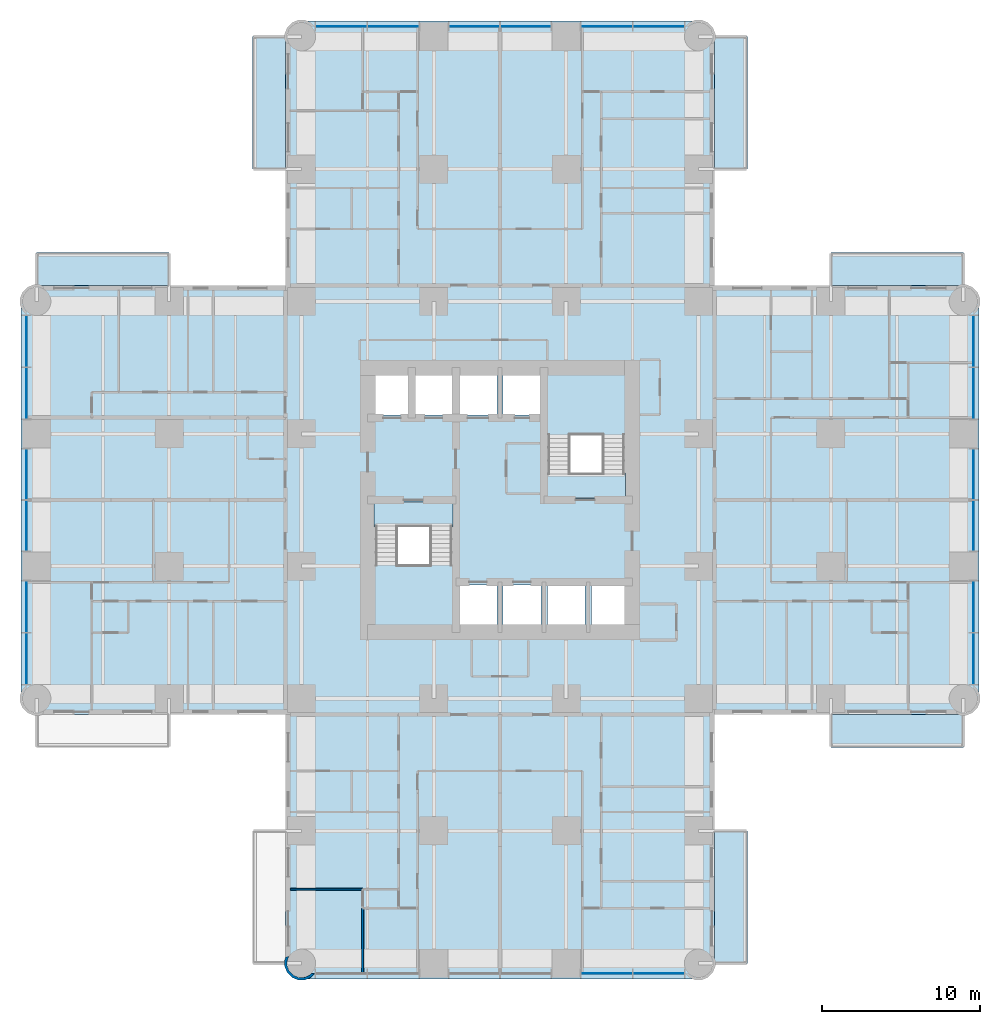
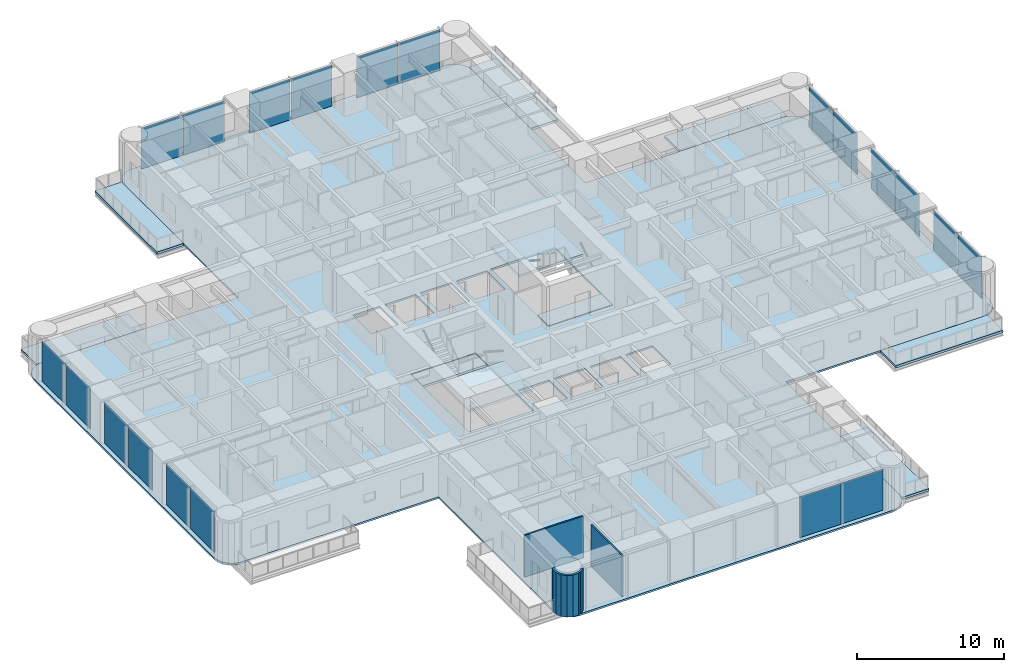
# One storey, part 6 of 17: 20 plates, 11 slabs, 3 walls, 6 elements without a shape of their own.
"""IFC4 building model written with IfcOpenShell, lengths in metres."""

from ifc_helpers import new_model, si_unit, direction, frame, frame_2d, origin, origin_2d, place, context, subcontext, project, spatial, polyline, rectangle, outline, extrude, material, layer, layer_set, type_object, element, aggregate, save


model = new_model("IFC4")

# Units and contexts
model_context = context("Model", 3, precision=1e-05, world=origin(), true_north=direction((0.0, 1.0)))
body_context = subcontext(model_context, "Body", "Model", "MODEL_VIEW")
ifc_project = project(units=[si_unit("LENGTHUNIT", "METRE"), si_unit("AREAUNIT", "SQUARE_METRE"), si_unit("VOLUMEUNIT", "CUBIC_METRE"), si_unit("PLANEANGLEUNIT", "RADIAN"), si_unit("MASSUNIT", "GRAM", prefix="KILO")], contexts=[model_context])

# Site, building, storey
site_placement = place(None, origin())
site = spatial("IfcSite", under=ifc_project, at=site_placement, CompositionType="ELEMENT")
building_placement = place(site_placement, origin())
building = spatial("IfcBuilding", under=site, at=building_placement, Name="Torre Alcanfor", CompositionType="ELEMENT")
storey_placement = place(building_placement, frame((0.0, 0.0, 41.699951171875)))
storey = spatial("IfcBuildingStorey", under=building, at=storey_placement, Name="L09", CompositionType="ELEMENT", Elevation=41.699951171875)

# Slabs
ifc_material_1 = material(Name="Concrete f'c 35 MPa", Category="concrete")
ifc_layer_1 = layer(ifc_material_1, 0.199951171875)
ifc_layer_set_1 = layer_set([ifc_layer_1], Name="Balcony slab 200")
slab_type_1 = type_object("IfcSlabType", Name="Balcony slab 200", PredefinedType="FLOOR", material=ifc_layer_set_1)
slab_1_placement = place(storey_placement, frame((0.0, 0.0, -0.199951171875)))
element("IfcSlab", 1, at=slab_1_placement, inside=storey, type_object=slab_type_1, Name="Balcony L09-N1", PredefinedType="FLOOR", context=body_context, shape_type="SweptSolid", body=[
    extrude(outline(polyline([(15.800048828125, 50.39990234375), (15.800048828125, 58.800048828125), (13.699951171875, 58.800048828125), (13.699951171875, 50.39990234375), (15.800048828125, 50.39990234375)])), origin(), (0.0, 0.0, 1.0), 0.199951171875),
])
slab_2_placement = place(storey_placement, frame((0.0, 0.0, -0.199951171875)))
element("IfcSlab", 2, at=slab_2_placement, inside=storey, type_object=slab_type_1, Name="Balcony L09-N2", PredefinedType="FLOOR", context=body_context, shape_type="SweptSolid", body=[
    extrude(outline(polyline([(45.10009765625, 50.39990234375), (45.10009765625, 58.800048828125), (43.0, 58.800048828125), (43.0, 50.39990234375), (45.10009765625, 50.39990234375)])), origin(), (0.0, 0.0, 1.0), 0.199951171875),
])
slab_3_placement = place(storey_placement, frame((0.0, 0.0, -0.199951171875)))
element("IfcSlab", 3, at=slab_3_placement, inside=storey, type_object=slab_type_1, Name="Balcony L09-E1", PredefinedType="FLOOR", context=body_context, shape_type="SweptSolid", body=[
    extrude(outline(polyline([(50.39990234375, 43.0), (58.800048828125, 43.0), (58.800048828125, 45.10009765625), (50.39990234375, 45.10009765625), (50.39990234375, 43.0)])), origin(), (0.0, 0.0, 1.0), 0.199951171875),
])
slab_4_placement = place(storey_placement, frame((0.0, 0.0, -0.199951171875)))
element("IfcSlab", 4, at=slab_4_placement, inside=storey, type_object=slab_type_1, Name="Balcony L09-E2", PredefinedType="FLOOR", context=body_context, shape_type="SweptSolid", body=[
    extrude(outline(polyline([(50.39990234375, 13.699951171875), (58.800048828125, 13.699951171875), (58.800048828125, 15.800048828125), (50.39990234375, 15.800048828125), (50.39990234375, 13.699951171875)])), origin(), (0.0, 0.0, 1.0), 0.199951171875),
])
slab_5_placement = place(storey_placement, frame((0.0, 0.0, -0.199951171875)))
element("IfcSlab", 5, at=slab_5_placement, inside=storey, type_object=slab_type_1, Name="Balcony L09-S1", PredefinedType="FLOOR", context=body_context, shape_type="SweptSolid", body=[
    extrude(outline(polyline([(43.0, 8.39990234375), (43.0, 0.0), (45.10009765625, 0.0), (45.10009765625, 8.39990234375), (43.0, 8.39990234375)])), origin(), (0.0, 0.0, 1.0), 0.199951171875),
])
slab_6_placement = place(storey_placement, frame((0.0, 0.0, -0.199951171875)))
element("IfcSlab", 6, at=slab_6_placement, inside=storey, type_object=slab_type_1, Name="Balcony L09-W2", PredefinedType="FLOOR", context=body_context, shape_type="SweptSolid", body=[
    extrude(outline(polyline([(8.39990234375, 45.10009765625), (0.0, 45.10009765625), (0.0, 43.0), (8.39990234375, 43.0), (8.39990234375, 45.10009765625)])), origin(), (0.0, 0.0, 1.0), 0.199951171875),
])

# Curtain wall, plates
ifc_material_2 = material(Name="Aluminium and glass", Category="aluminium")
curtain_wall_type = type_object("IfcCurtainWallType", Name="CW-A unitised apartment glazing with vertical FIN", PredefinedType="NOTDEFINED", material=ifc_material_2)
curtain_wall_1_placement = place(storey_placement, origin())
curtain_wall_1 = element("IfcCurtainWall", 7, at=curtain_wall_1_placement, inside=storey, type_object=curtain_wall_type, Name="Curtain wall CW-A L09 2", PredefinedType="NOTDEFINED")
ifc_material_3 = material(Name="Glass", Category="glass")
ifc_layer_2 = layer(ifc_material_3, 0.028076171875)
ifc_layer_set_2 = layer_set([ifc_layer_2], Name="CW-A clear double glazed unit")
plate_type = type_object("IfcPlateType", Name="CW-A clear double glazed unit", PredefinedType="CURTAIN_PANEL", material=ifc_layer_set_2)
plate_1_placement = place(storey_placement, frame((-0.64990234375, 39.484130859375, 0.0), z_axis=(0.0, 0.0, 1.0), x_axis=(0.0, -1.0, 0.0)))
plate_1 = element("IfcPlate", 8, at=plate_1_placement, type_object=plate_type, Name="CW-A panel 1.1.1", PredefinedType="CURTAIN_PANEL", context=body_context, shape_type="SweptSolid", body=[
    extrude(rectangle(XDim=3.232666015625, YDim=0.028076171875, at=origin_2d()), origin(), (0.0, 0.0, 1.0), 3.385009765625),
])
plate_2_placement = place(storey_placement, frame((-0.64990234375, 36.186279296875, 0.0), z_axis=(0.0, 0.0, 1.0), x_axis=(0.0, -1.0, 0.0)))
plate_2 = element("IfcPlate", 9, at=plate_2_placement, type_object=plate_type, Name="CW-A panel 1.2.1", PredefinedType="CURTAIN_PANEL", context=body_context, shape_type="SweptSolid", body=[
    extrude(rectangle(XDim=3.232666015625, YDim=0.028076171875, at=origin_2d()), origin(), (0.0, 0.0, 1.0), 3.385009765625),
])
plate_3_placement = place(storey_placement, frame((-0.64990234375, 31.03125, 0.0), z_axis=(0.0, 0.0, 1.0), x_axis=(0.0, -1.0, 0.0)))
plate_3 = element("IfcPlate", 10, at=plate_3_placement, type_object=plate_type, Name="CW-A panel 2.1.1", PredefinedType="CURTAIN_PANEL", context=body_context, shape_type="SweptSolid", body=[
    extrude(rectangle(XDim=3.197509765625, YDim=0.028076171875, at=origin_2d()), origin(), (0.0, 0.0, 1.0), 3.385009765625),
])
plate_4_placement = place(storey_placement, frame((-0.64990234375, 27.768798828125, 0.0), z_axis=(0.0, 0.0, 1.0), x_axis=(0.0, -1.0, 0.0)))
plate_4 = element("IfcPlate", 11, at=plate_4_placement, type_object=plate_type, Name="CW-A panel 2.2.1", PredefinedType="CURTAIN_PANEL", context=body_context, shape_type="SweptSolid", body=[
    extrude(rectangle(XDim=3.197509765625, YDim=0.028076171875, at=origin_2d()), origin(), (0.0, 0.0, 1.0), 3.385009765625),
])
plate_5_placement = place(storey_placement, frame((-0.64990234375, 22.613525390625, 0.0), z_axis=(0.0, 0.0, 1.0), x_axis=(0.0, -1.0, 0.0)))
plate_5 = element("IfcPlate", 12, at=plate_5_placement, type_object=plate_type, Name="CW-A panel 3.1.1", PredefinedType="CURTAIN_PANEL", context=body_context, shape_type="SweptSolid", body=[
    extrude(rectangle(XDim=3.232666015625, YDim=0.028076171875, at=origin_2d()), origin(), (0.0, 0.0, 1.0), 3.385009765625),
])
plate_6_placement = place(storey_placement, frame((-0.64990234375, 19.31591796875, 0.0), z_axis=(0.0, 0.0, 1.0), x_axis=(0.0, -1.0, 0.0)))
plate_6 = element("IfcPlate", 13, at=plate_6_placement, type_object=plate_type, Name="CW-A panel 3.2.1", PredefinedType="CURTAIN_PANEL", context=body_context, shape_type="SweptSolid", body=[
    extrude(rectangle(XDim=3.232666015625, YDim=0.028076171875, at=origin_2d()), origin(), (0.0, 0.0, 1.0), 3.385009765625),
])
aggregate(curtain_wall_1, [plate_1, plate_2, plate_3, plate_4, plate_5, plate_6])

curtain_wall_2_placement = place(storey_placement, origin())
curtain_wall_2 = element("IfcCurtainWall", 14, at=curtain_wall_2_placement, inside=storey, type_object=curtain_wall_type, Name="Curtain wall CW-A L09 5", PredefinedType="NOTDEFINED")
plate_7_placement = place(storey_placement, frame((36.186279296875, -0.64990234375, 0.0), z_axis=(0.0, 0.0, 1.0), x_axis=(1.0, 0.0, 0.0)))
plate_7 = element("IfcPlate", 15, at=plate_7_placement, type_object=plate_type, Name="CW-A panel 3.1.1", PredefinedType="CURTAIN_PANEL", context=body_context, shape_type="SweptSolid", body=[
    extrude(rectangle(XDim=3.232666015625, YDim=0.028076171875, at=origin_2d()), origin(), (0.0, 0.0, 1.0), 3.385009765625),
])
plate_8_placement = place(storey_placement, frame((39.484130859375, -0.64990234375, 0.0), z_axis=(0.0, 0.0, 1.0), x_axis=(1.0, 0.0, 0.0)))
plate_8 = element("IfcPlate", 16, at=plate_8_placement, type_object=plate_type, Name="CW-A panel 3.2.1", PredefinedType="CURTAIN_PANEL", context=body_context, shape_type="SweptSolid", body=[
    extrude(rectangle(XDim=3.232666015625, YDim=0.028076171875, at=origin_2d()), origin(), (0.0, 0.0, 1.0), 3.385009765625),
])
aggregate(curtain_wall_2, [plate_7, plate_8])

curtain_wall_3_placement = place(storey_placement, origin())
curtain_wall_3 = element("IfcCurtainWall", 17, at=curtain_wall_3_placement, inside=storey, type_object=curtain_wall_type, Name="Curtain wall CW-A L09 8", PredefinedType="NOTDEFINED")
plate_9_placement = place(storey_placement, frame((59.449951171875, 19.31591796875, 0.0), z_axis=(0.0, 0.0, 1.0), x_axis=(0.0, 1.0, 0.0)))
plate_9 = element("IfcPlate", 18, at=plate_9_placement, type_object=plate_type, Name="CW-A panel 1.1.1", PredefinedType="CURTAIN_PANEL", context=body_context, shape_type="SweptSolid", body=[
    extrude(rectangle(XDim=3.232666015625, YDim=0.028076171875, at=origin_2d()), origin(), (0.0, 0.0, 1.0), 3.385009765625),
])
plate_10_placement = place(storey_placement, frame((59.449951171875, 22.613525390625, 0.0), z_axis=(0.0, 0.0, 1.0), x_axis=(0.0, 1.0, 0.0)))
plate_10 = element("IfcPlate", 19, at=plate_10_placement, type_object=plate_type, Name="CW-A panel 1.2.1", PredefinedType="CURTAIN_PANEL", context=body_context, shape_type="SweptSolid", body=[
    extrude(rectangle(XDim=3.232666015625, YDim=0.028076171875, at=origin_2d()), origin(), (0.0, 0.0, 1.0), 3.385009765625),
])
plate_11_placement = place(storey_placement, frame((59.449951171875, 27.768798828125, 0.0), z_axis=(0.0, 0.0, 1.0), x_axis=(0.0, 1.0, 0.0)))
plate_11 = element("IfcPlate", 20, at=plate_11_placement, type_object=plate_type, Name="CW-A panel 2.1.1", PredefinedType="CURTAIN_PANEL", context=body_context, shape_type="SweptSolid", body=[
    extrude(rectangle(XDim=3.197509765625, YDim=0.028076171875, at=origin_2d()), origin(), (0.0, 0.0, 1.0), 3.385009765625),
])
plate_12_placement = place(storey_placement, frame((59.449951171875, 31.03125, 0.0), z_axis=(0.0, 0.0, 1.0), x_axis=(0.0, 1.0, 0.0)))
plate_12 = element("IfcPlate", 21, at=plate_12_placement, type_object=plate_type, Name="CW-A panel 2.2.1", PredefinedType="CURTAIN_PANEL", context=body_context, shape_type="SweptSolid", body=[
    extrude(rectangle(XDim=3.197509765625, YDim=0.028076171875, at=origin_2d()), origin(), (0.0, 0.0, 1.0), 3.385009765625),
])
plate_13_placement = place(storey_placement, frame((59.449951171875, 36.186279296875, 0.0), z_axis=(0.0, 0.0, 1.0), x_axis=(0.0, 1.0, 0.0)))
plate_13 = element("IfcPlate", 22, at=plate_13_placement, type_object=plate_type, Name="CW-A panel 3.1.1", PredefinedType="CURTAIN_PANEL", context=body_context, shape_type="SweptSolid", body=[
    extrude(rectangle(XDim=3.232666015625, YDim=0.028076171875, at=origin_2d()), origin(), (0.0, 0.0, 1.0), 3.385009765625),
])
plate_14_placement = place(storey_placement, frame((59.449951171875, 39.484130859375, 0.0), z_axis=(0.0, 0.0, 1.0), x_axis=(0.0, 1.0, 0.0)))
plate_14 = element("IfcPlate", 23, at=plate_14_placement, type_object=plate_type, Name="CW-A panel 3.2.1", PredefinedType="CURTAIN_PANEL", context=body_context, shape_type="SweptSolid", body=[
    extrude(rectangle(XDim=3.232666015625, YDim=0.028076171875, at=origin_2d()), origin(), (0.0, 0.0, 1.0), 3.385009765625),
])
aggregate(curtain_wall_3, [plate_9, plate_10, plate_11, plate_12, plate_13, plate_14])

curtain_wall_4_placement = place(storey_placement, origin())
curtain_wall_4 = element("IfcCurtainWall", 24, at=curtain_wall_4_placement, inside=storey, type_object=curtain_wall_type, Name="Curtain wall CW-A L09 11", PredefinedType="NOTDEFINED")
plate_15_placement = place(storey_placement, frame((39.484130859375, 59.449951171875, 0.0), z_axis=(0.0, 0.0, 1.0), x_axis=(-1.0, 0.0, 0.0)))
plate_15 = element("IfcPlate", 25, at=plate_15_placement, type_object=plate_type, Name="CW-A panel 1.1.1", PredefinedType="CURTAIN_PANEL", context=body_context, shape_type="SweptSolid", body=[
    extrude(rectangle(XDim=3.232666015625, YDim=0.028076171875, at=origin_2d()), origin(), (0.0, 0.0, 1.0), 3.385009765625),
])
plate_16_placement = place(storey_placement, frame((36.186279296875, 59.449951171875, 0.0), z_axis=(0.0, 0.0, 1.0), x_axis=(-1.0, 0.0, 0.0)))
plate_16 = element("IfcPlate", 26, at=plate_16_placement, type_object=plate_type, Name="CW-A panel 1.2.1", PredefinedType="CURTAIN_PANEL", context=body_context, shape_type="SweptSolid", body=[
    extrude(rectangle(XDim=3.232666015625, YDim=0.028076171875, at=origin_2d()), origin(), (0.0, 0.0, 1.0), 3.385009765625),
])
plate_17_placement = place(storey_placement, frame((31.03125, 59.449951171875, 0.0), z_axis=(0.0, 0.0, 1.0), x_axis=(-1.0, 0.0, 0.0)))
plate_17 = element("IfcPlate", 27, at=plate_17_placement, type_object=plate_type, Name="CW-A panel 2.1.1", PredefinedType="CURTAIN_PANEL", context=body_context, shape_type="SweptSolid", body=[
    extrude(rectangle(XDim=3.197509765625, YDim=0.028076171875, at=origin_2d()), origin(), (0.0, 0.0, 1.0), 3.385009765625),
])
plate_18_placement = place(storey_placement, frame((27.768798828125, 59.449951171875, 0.0), z_axis=(0.0, 0.0, 1.0), x_axis=(-1.0, 0.0, 0.0)))
plate_18 = element("IfcPlate", 28, at=plate_18_placement, type_object=plate_type, Name="CW-A panel 2.2.1", PredefinedType="CURTAIN_PANEL", context=body_context, shape_type="SweptSolid", body=[
    extrude(rectangle(XDim=3.197509765625, YDim=0.028076171875, at=origin_2d()), origin(), (0.0, 0.0, 1.0), 3.385009765625),
])
plate_19_placement = place(storey_placement, frame((22.613525390625, 59.449951171875, 0.0), z_axis=(0.0, 0.0, 1.0), x_axis=(-1.0, 0.0, 0.0)))
plate_19 = element("IfcPlate", 29, at=plate_19_placement, type_object=plate_type, Name="CW-A panel 3.1.1", PredefinedType="CURTAIN_PANEL", context=body_context, shape_type="SweptSolid", body=[
    extrude(rectangle(XDim=3.232666015625, YDim=0.028076171875, at=origin_2d()), origin(), (0.0, 0.0, 1.0), 3.385009765625),
])
plate_20_placement = place(storey_placement, frame((19.31591796875, 59.449951171875, 0.0), z_axis=(0.0, 0.0, 1.0), x_axis=(-1.0, 0.0, 0.0)))
plate_20 = element("IfcPlate", 30, at=plate_20_placement, type_object=plate_type, Name="CW-A panel 3.2.1", PredefinedType="CURTAIN_PANEL", context=body_context, shape_type="SweptSolid", body=[
    extrude(rectangle(XDim=3.232666015625, YDim=0.028076171875, at=origin_2d()), origin(), (0.0, 0.0, 1.0), 3.385009765625),
])
aggregate(curtain_wall_4, [plate_15, plate_16, plate_17, plate_18, plate_19, plate_20])

# Slab
ifc_material_4 = material(Name="Concrete f'c 35 MPa", Category="concrete")
ifc_layer_3 = layer(ifc_material_4, 0.14990234375)
ifc_layer_set_3 = layer_set([ifc_layer_3], Name="Composite floor 150 on metal deck")
slab_type_2 = type_object("IfcSlabType", Name="Composite floor 150 on metal deck", PredefinedType="FLOOR", material=ifc_layer_set_3)
slab_7_placement = place(storey_placement, frame((0.0, 0.0, -0.14990234375)))
element("IfcSlab", 31, at=slab_7_placement, inside=storey, type_object=slab_type_2, Name="Floor slab L09", PredefinedType="FLOOR", context=body_context, shape_type="SweptSolid", body=[
    extrude(outline(polyline([(15.800048828125, 43.0), (0.39990234375, 43.0), (0.03759765625, 42.952392578125), (-0.300048828125, 42.8125), (-0.58984375, 42.58984375), (-0.8125, 42.300048828125), (-0.952392578125, 41.96240234375), (-1.0, 41.60009765625), (-1.0, 17.199951171875), (-0.952392578125, 16.837646484375), (-0.8125, 16.5), (-0.58984375, 16.210205078125), (-0.300048828125, 15.987548828125), (0.03759765625, 15.84765625), (0.39990234375, 15.800048828125), (15.800048828125, 15.800048828125), (15.800048828125, 0.39990234375), (15.84765625, 0.03759765625), (15.987548828125, -0.300048828125), (16.210205078125, -0.58984375), (16.5, -0.8125), (16.837646484375, -0.952392578125), (17.199951171875, -1.0), (41.60009765625, -1.0), (41.96240234375, -0.952392578125), (42.300048828125, -0.8125), (42.58984375, -0.58984375), (42.8125, -0.300048828125), (42.952392578125, 0.03759765625), (43.0, 0.39990234375), (43.0, 15.800048828125), (58.39990234375, 15.800048828125), (58.76220703125, 15.84765625), (59.10009765625, 15.987548828125), (59.389892578125, 16.210205078125), (59.6123046875, 16.5), (59.752197265625, 16.837646484375), (59.800048828125, 17.199951171875), (59.800048828125, 41.60009765625), (59.752197265625, 41.96240234375), (59.6123046875, 42.300048828125), (59.389892578125, 42.58984375), (59.10009765625, 42.8125), (58.76220703125, 42.952392578125), (58.39990234375, 43.0), (43.0, 43.0), (43.0, 58.39990234375), (42.952392578125, 58.76220703125), (42.8125, 59.10009765625), (42.58984375, 59.389892578125), (42.300048828125, 59.6123046875), (41.96240234375, 59.752197265625), (41.60009765625, 59.800048828125), (17.199951171875, 59.800048828125), (16.837646484375, 59.752197265625), (16.5, 59.6123046875), (16.210205078125, 59.389892578125), (15.987548828125, 59.10009765625), (15.84765625, 58.76220703125), (15.800048828125, 58.39990234375), (15.800048828125, 43.0)]), holes=[polyline([(21.419921875, 21.419921875), (26.47998046875, 21.419921875), (26.47998046875, 29.280029296875), (21.419921875, 29.280029296875), (21.419921875, 21.419921875)]), polyline([(32.320068359375, 29.52001953125), (37.3798828125, 29.52001953125), (37.3798828125, 37.3798828125), (32.320068359375, 37.3798828125), (32.320068359375, 29.52001953125)]), polyline([(26.800048828125, 21.5), (29.199951171875, 21.5), (29.199951171875, 24.0), (26.800048828125, 24.0), (26.800048828125, 21.5)]), polyline([(29.60009765625, 21.5), (32.0, 21.5), (32.0, 24.0), (29.60009765625, 24.0), (29.60009765625, 21.5)]), polyline([(32.39990234375, 21.5), (34.800048828125, 21.5), (34.800048828125, 24.0), (32.39990234375, 24.0), (32.39990234375, 21.5)]), polyline([(35.199951171875, 21.5), (37.300048828125, 21.5), (37.300048828125, 24.0), (35.199951171875, 24.0), (35.199951171875, 21.5)]), polyline([(21.5, 34.800048828125), (23.60009765625, 34.800048828125), (23.60009765625, 37.300048828125), (21.5, 37.300048828125), (21.5, 34.800048828125)]), polyline([(24.0, 34.800048828125), (26.39990234375, 34.800048828125), (26.39990234375, 37.300048828125), (24.0, 37.300048828125), (24.0, 34.800048828125)]), polyline([(26.800048828125, 34.800048828125), (29.199951171875, 34.800048828125), (29.199951171875, 37.300048828125), (26.800048828125, 37.300048828125), (26.800048828125, 34.800048828125)]), polyline([(29.60009765625, 34.800048828125), (32.0, 34.800048828125), (32.0, 37.300048828125), (29.60009765625, 37.300048828125), (29.60009765625, 34.800048828125)])]), origin(), (0.0, 0.0, 1.0), 0.14990234375),
])

# Stair, slabs
ifc_material_5 = material(Name="Concrete f'c 35 MPa", Category="concrete")
stair_type_1 = type_object("IfcStairType", Name="Exit stair S1 1400 wide", PredefinedType="HALF_TURN_STAIR", material=ifc_material_5)
stair_1_placement = place(storey_placement, origin())
stair_1 = element("IfcStair", 32, at=stair_1_placement, inside=storey, type_object=stair_type_1, Name="Stair S1 L09 to L10", PredefinedType="HALF_TURN_STAIR")
ifc_material_6 = material(Name="Concrete f'c 35 MPa", Category="concrete")
ifc_layer_4 = layer(ifc_material_6, 0.199951171875)
ifc_layer_set_4 = layer_set([ifc_layer_4], Name="Stair landing 200")
slab_type_3 = type_object("IfcSlabType", Name="Stair landing 200", PredefinedType="LANDING", material=ifc_layer_set_4)
slab_8_placement = place(storey_placement, frame((0.0, 0.0, -0.199951171875)))
slab_8 = element("IfcSlab", 33, at=slab_8_placement, type_object=slab_type_3, Name="S1 landing 1", PredefinedType="LANDING", context=body_context, shape_type="SweptSolid", body=[
    extrude(outline(polyline([(21.419921875, 27.699951171875), (26.429931640625, 27.699951171875), (26.429931640625, 29.22998046875), (21.419921875, 29.22998046875), (21.419921875, 27.699951171875)])), origin(), (0.0, 0.0, 1.0), 0.199951171875),
])
slab_9_placement = place(storey_placement, frame((0.0, 0.0, 1.60009765625)))
slab_9 = element("IfcSlab", 34, at=slab_9_placement, type_object=slab_type_3, Name="S1 landing 2", PredefinedType="LANDING", context=body_context, shape_type="SweptSolid", body=[
    extrude(outline(polyline([(21.419921875, 21.419921875), (26.429931640625, 21.419921875), (26.429931640625, 25.280029296875), (21.419921875, 25.280029296875), (21.419921875, 21.419921875)])), origin(), (0.0, 0.0, 1.0), 0.199951171875),
])
aggregate(stair_1, [slab_8, slab_9])

ifc_material_7 = material(Name="Concrete f'c 35 MPa", Category="concrete")
stair_type_2 = type_object("IfcStairType", Name="Exit stair S2 1400 wide", PredefinedType="HALF_TURN_STAIR", material=ifc_material_7)
stair_2_placement = place(storey_placement, origin())
stair_2 = element("IfcStair", 35, at=stair_2_placement, inside=storey, type_object=stair_type_2, Name="Stair S2 L09 to L10", PredefinedType="HALF_TURN_STAIR")
slab_10_placement = place(storey_placement, frame((0.0, 0.0, -0.199951171875)))
slab_10 = element("IfcSlab", 36, at=slab_10_placement, type_object=slab_type_3, Name="S2 landing 1", PredefinedType="LANDING", context=body_context, shape_type="SweptSolid", body=[
    extrude(outline(polyline([(32.3701171875, 29.570068359375), (37.3798828125, 29.570068359375), (37.3798828125, 31.10009765625), (32.3701171875, 31.10009765625), (32.3701171875, 29.570068359375)])), origin(), (0.0, 0.0, 1.0), 0.199951171875),
])
slab_11_placement = place(storey_placement, frame((0.0, 0.0, 1.60009765625)))
slab_11 = element("IfcSlab", 37, at=slab_11_placement, type_object=slab_type_3, Name="S2 landing 2", PredefinedType="LANDING", context=body_context, shape_type="SweptSolid", body=[
    extrude(outline(polyline([(32.3701171875, 33.52001953125), (37.3798828125, 33.52001953125), (37.3798828125, 37.3798828125), (32.3701171875, 37.3798828125), (32.3701171875, 33.52001953125)])), origin(), (0.0, 0.0, 1.0), 0.199951171875),
])
aggregate(stair_2, [slab_10, slab_11])

# Walls
ifc_material_8 = material(Name="Gypsum board on steel studs", Category="steel")
ifc_layer_5 = layer(ifc_material_8, 0.1201171875)
ifc_layer_set_5 = layer_set([ifc_layer_5], Name="Apartment partition 120")
wall_type_1 = type_object("IfcWallType", Name="Apartment partition 120", PredefinedType="PARTITIONING", material=ifc_layer_set_5)
wall_1_placement = place(storey_placement, frame((20.68603515625, 4.699951171875, 0.0), z_axis=(0.0, 0.0, 1.0), x_axis=(-1.0, 0.0, 0.0)))
element("IfcWall", 38, at=wall_1_placement, inside=storey, type_object=wall_type_1, Name="Partition L09-S2-BED3 / L09-S2-MASTER", PredefinedType="PARTITIONING", context=body_context, shape_type="SweptSolid", body=[
    extrude(rectangle(XDim=4.5859375, YDim=0.1201171875, at=frame_2d((2.29296875, 0.0))), origin(), (0.0, 0.0, 1.0), 3.449951171875),
])
wall_2_placement = place(storey_placement, frame((20.68603515625, -0.64990234375, 0.0), z_axis=(0.0, 0.0, 1.0), x_axis=(0.0, 1.0, 0.0)))
element("IfcWall", 39, at=wall_2_placement, inside=storey, type_object=wall_type_1, Name="Partition L09-S2-BED2 / L09-S2-MASTER", PredefinedType="PARTITIONING", context=body_context, shape_type="SweptSolid", body=[
    extrude(rectangle(XDim=4.14990234375, YDim=0.1201171875, at=frame_2d((2.074951171875, 0.0))), origin(), (0.0, 0.0, 1.0), 3.449951171875),
])
ifc_material_9 = material(Name="Limestone cladding", Category="masonry")
ifc_layer_6 = layer(ifc_material_9, 0.0400390625, Name="Facing")
ifc_material_10 = material(Name="Ventilated air cavity")
ifc_layer_7 = layer(ifc_material_10, 0.02001953125, ventilated=True, Name="Ventilated joint")
ifc_material_11 = material(Name="Mineral wool insulation", Category="insulation")
ifc_layer_8 = layer(ifc_material_11, 0.10009765625, Name="Insulation")
ifc_material_12 = material(Name="Concrete f'c 35 MPa", Category="concrete")
ifc_layer_9 = layer(ifc_material_12, 0.139892578125, Name="Backing")
ifc_layer_set_6 = layer_set([ifc_layer_6, ifc_layer_7, ifc_layer_8, ifc_layer_9], Name="Rounded corner pier stone-clad 300")
wall_type_2 = type_object("IfcWallType", Name="Rounded corner pier stone-clad 300", PredefinedType="SOLIDWALL", material=ifc_layer_set_6)
wall_3_placement = place(storey_placement, frame((15.890092843, 0.363962863, 0.0), z_axis=(0.0, 0.0, 1.0), x_axis=(-0.377204953059, -0.926129809145, 0.0)))
element("IfcWall", 40, at=wall_3_placement, inside=storey, type_object=wall_type_2, Name="Corner pier L09 15", PredefinedType="SOLIDWALL", context=body_context, shape_type="SweptSolid", body=[
    extrude(outline(polyline([(0.36025406326845444, 1.8033251535395152), (0.5088520451897254, 1.7407402151136773), (0.7605729288027181, 1.4858036812916837), (0.8957625945963965, 1.1538802047718164), (0.8938847377533284, 0.7953914035812757), (0.7547773157275899, 0.46510295554213366), (0.4997067670481534, 0.21306387496571194), (0.16778329052828606, 0.07787420917203358), (-0.09994023900030424, 0.0795504548732244), (0.0006804239564057041, -0.09694899646014049), (0.029999294732247404, -0.08026261581225796), (0.19856690358048068, -0.0812004843578153), (0.5888257049928043, 0.07774867310804906), (0.8888185520201115, 0.37418200048294215), (1.0525847078153452, 0.7630186897929918), (1.0551554850896743, 1.184529802966568), (0.896114236570817, 1.5750147102893275), (0.7776681844062314, 1.6949582431572732), (0.7691216165340404, 1.727592391840862), (0.7502462480266835, 1.7228043636692119), (0.599680909195924, 1.8750075573166347), (0.2945300212676607, 2.0035278056043833), (0.2809636666415082, 1.9980023424248052), (0.36025406326845444, 1.8033251535395152)])), origin(), (0.0, 0.0, 1.0), 3.449951171875),
])

save(model, "model.ifc")
